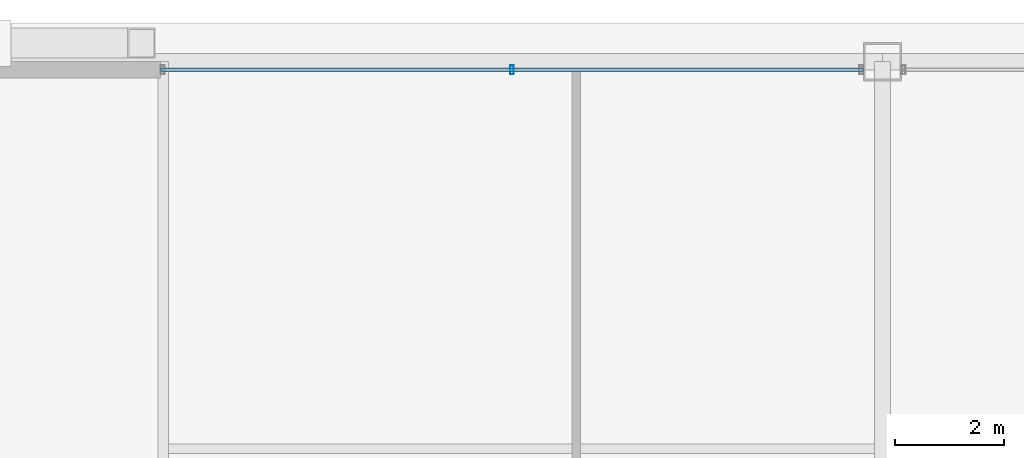
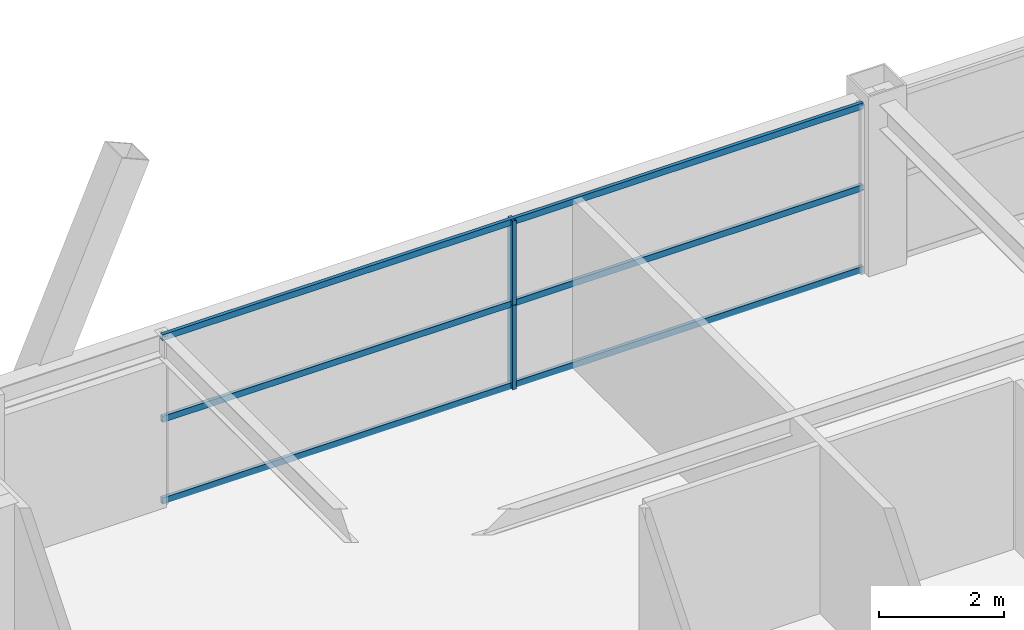
# One storey, part 24 of 34: 5 members, 1 element without a shape of its own.
"""IFC4 building model written with IfcOpenShell, lengths in metres."""

from ifc_helpers import new_model, si_unit, direction, frame, origin, origin_2d, place, context, subcontext, project, spatial, hollow_rectangle, extrude, source, transform, mapped, material, layer, layer_set, material_profile, profile_set, type_object, element, aggregate, save


model = new_model("IFC4")

# Units and contexts
model_context = context("Model", 3, precision=1e-05, world=origin(), true_north=direction((0.0, 1.0)))
body_context = subcontext(model_context, "Body", "Model", "MODEL_VIEW")
ifc_project = project(units=[si_unit("LENGTHUNIT", "METRE"), si_unit("AREAUNIT", "SQUARE_METRE"), si_unit("VOLUMEUNIT", "CUBIC_METRE"), si_unit("PLANEANGLEUNIT", "RADIAN"), si_unit("MASSUNIT", "GRAM", prefix="KILO"), si_unit("THERMODYNAMICTEMPERATUREUNIT", "KELVIN"), si_unit("POWERUNIT", "WATT")], contexts=[model_context])

# Site, building, storey
site_placement = place(None, origin())
site = spatial("IfcSite", under=ifc_project, at=site_placement, CompositionType="ELEMENT")
building_placement = place(site_placement, origin())
building = spatial("IfcBuilding", under=site, at=building_placement, Name="Yuzanri Waterfront Tower", CompositionType="ELEMENT")
storey_placement = place(building_placement, frame((0.0, 0.0, 241.60009765625)))
storey = spatial("IfcBuildingStorey", under=building, at=storey_placement, Name="L64", CompositionType="ELEMENT", Elevation=241.60009765625)

# Curtain wall, members
ifc_material_1 = material(Name="Anodized Architectural Bronze", Category="metal")
ifc_layer = layer(ifc_material_1, 0.159912109375)
ifc_layer_set = layer_set([ifc_layer], Name="Anodized Architectural Bronze")
curtain_wall_type = type_object("IfcCurtainWallType", Name="Anodized Bronze Mid-Rise Residential Acoustic Unitized Curtain Wall 7200", PredefinedType="NOTDEFINED", material=ifc_layer_set)
curtain_wall_placement = place(storey_placement, origin())
curtain_wall = element("IfcCurtainWall", 1, at=curtain_wall_placement, inside=storey, type_object=curtain_wall_type, Name="L64 Curtain Wall CW-L64-NL", PredefinedType="NOTDEFINED")
ifc_material_2 = material(Name="Anodized Architectural Bronze", Category="metal")
ifc_material_profile_1 = material_profile(ifc_material_2, hollow_rectangle(XDim=0.06494140625, YDim=0.159912109375, WallThickness=0.00341796875, at=origin_2d()), Name="CWM 65x160")
ifc_profile_set_1 = profile_set([ifc_material_profile_1], Name="Anodized Architectural Bronze")
member_type_1 = type_object("IfcMemberType", Name="Anodized Bronze Upper-Zone Curtain-Wall Mullion 65x160", PredefinedType="MULLION", material=ifc_profile_set_1)
shared_shape_1 = source(origin(), body_context, "Body", "SweptSolid", [
    extrude(hollow_rectangle(XDim=0.06494140625, YDim=0.159912109375, WallThickness=0.00341796875, at=origin_2d()), origin(), (0.0, 0.0, 1.0), 1.637939453125),
])
member_1_placement = place(storey_placement, frame((30.199951171875, 46.25, 0.0), z_axis=(0.0, 0.0, 1.0), x_axis=(1.0, 0.0, 0.0)))
member_1 = element("IfcMember", 2, at=member_1_placement, type_object=member_type_1, Name="CW-L64-NL Lower Mullion 01", PredefinedType="MULLION", context=body_context, shape_type="MappedRepresentation", body=[
    mapped(shared_shape_1, transform((0.0, 0.0, 0.0), scale=1.0)),
])
member_2_placement = place(storey_placement, frame((30.199951171875, 46.25, 1.641845703125), z_axis=(0.0, 0.0, 1.0), x_axis=(1.0, 0.0, 0.0)))
member_2 = element("IfcMember", 3, at=member_2_placement, type_object=member_type_1, Name="CW-L64-NL Upper Mullion 01", PredefinedType="MULLION", context=body_context, shape_type="MappedRepresentation", body=[
    mapped(shared_shape_1, transform((0.0, 0.0, 0.0), scale=1.0)),
])
ifc_material_3 = material(Name="Anodized Architectural Bronze", Category="metal")
ifc_material_profile_2 = material_profile(ifc_material_3, hollow_rectangle(XDim=0.06494140625, YDim=0.1201171875, WallThickness=0.00341796875, at=origin_2d()), Name="CWT 65x120")
ifc_profile_set_2 = profile_set([ifc_material_profile_2], Name="Anodized Architectural Bronze")
member_type_2 = type_object("IfcMemberType", Name="Anodized Bronze Secondary Curtain-Wall Transom 65x120", PredefinedType="USERDEFINED", material=ifc_profile_set_2)
shared_shape_2 = source(origin(), body_context, "Body", "SweptSolid", [
    extrude(hollow_rectangle(XDim=0.06494140625, YDim=0.1201171875, WallThickness=0.00341796875, at=origin_2d()), origin(), (0.0, 0.0, 1.0), 12.89990234375),
])
member_3_placement = place(storey_placement, frame((23.75, 46.25, 0.0498046875), z_axis=(1.0, 0.0, 0.0), x_axis=(0.0, 1.0, 0.0)))
member_3 = element("IfcMember", 4, at=member_3_placement, type_object=member_type_2, Name="CW-L64-NL Transom 1", ObjectType="TRANSOM", PredefinedType="USERDEFINED", context=body_context, shape_type="MappedRepresentation", body=[
    mapped(shared_shape_2, transform((0.0, 0.0, 0.0), scale=1.0)),
])
member_4_placement = place(storey_placement, frame((23.75, 46.25, 1.639892578125), z_axis=(1.0, 0.0, 0.0), x_axis=(0.0, 1.0, 0.0)))
member_4 = element("IfcMember", 5, at=member_4_placement, type_object=member_type_2, Name="CW-L64-NL Transom 2", ObjectType="TRANSOM", PredefinedType="USERDEFINED", context=body_context, shape_type="MappedRepresentation", body=[
    mapped(shared_shape_2, transform((0.0, 0.0, 0.0), scale=1.0)),
])
member_5_placement = place(storey_placement, frame((23.75, 46.25, 3.22998046875), z_axis=(1.0, 0.0, 0.0), x_axis=(0.0, 1.0, 0.0)))
member_5 = element("IfcMember", 6, at=member_5_placement, type_object=member_type_2, Name="CW-L64-NL Transom 3", ObjectType="TRANSOM", PredefinedType="USERDEFINED", context=body_context, shape_type="MappedRepresentation", body=[
    mapped(shared_shape_2, transform((0.0, 0.0, 0.0), scale=1.0)),
])
aggregate(curtain_wall, [member_1, member_2, member_3, member_4, member_5])

save(model, "model.ifc")
